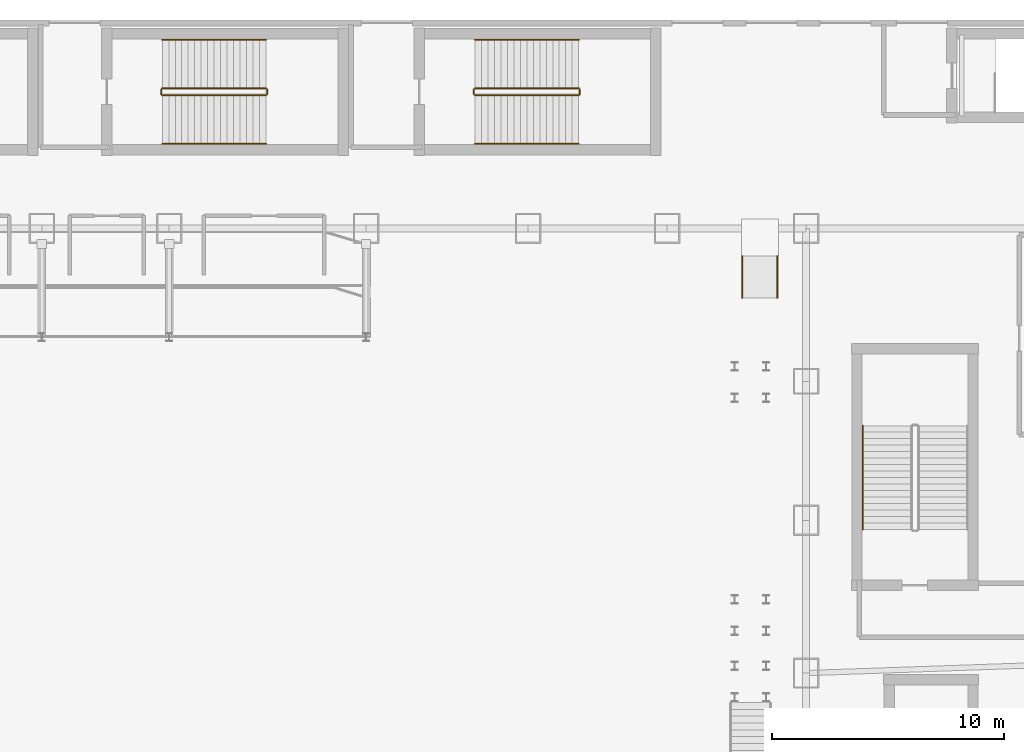
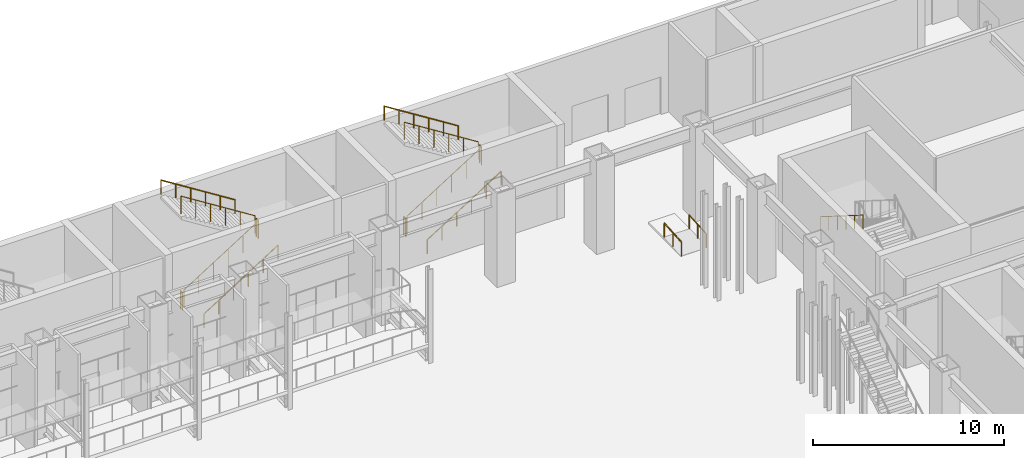
# One storey, part 21 of 25: 15 railings.
"""IFC4 building model written with IfcOpenShell, lengths in metres."""

from ifc_helpers import new_model, si_unit, derived_unit, direction, frame, origin, origin_2d, place, context, subcontext, project, spatial, circle, extrude, material, type_object, element, save


model = new_model("IFC4")

# Units and contexts
model_context = context("Model", 3, precision=1e-05, world=origin(), true_north=direction((0.0, 1.0)))
body_context = subcontext(model_context, "Body", "Model", "MODEL_VIEW")
ifc_project = project(units=[si_unit("LENGTHUNIT", "METRE"), si_unit("AREAUNIT", "SQUARE_METRE"), si_unit("VOLUMEUNIT", "CUBIC_METRE"), si_unit("PLANEANGLEUNIT", "RADIAN"), si_unit("MASSUNIT", "GRAM", prefix="KILO"), derived_unit("THERMALTRANSMITTANCEUNIT", [(si_unit("POWERUNIT", "WATT"), 1), (si_unit("LENGTHUNIT", "METRE"), -2), (si_unit("THERMODYNAMICTEMPERATUREUNIT", "KELVIN"), -1)])], contexts=[model_context])

# Site, building, storey
site_placement = place(None, origin())
site = spatial("IfcSite", under=ifc_project, at=site_placement, CompositionType="ELEMENT")
building_placement = place(site_placement, origin())
building = spatial("IfcBuilding", under=site, at=building_placement, Name="Skarnbrae Concourse Arena and Tower", CompositionType="ELEMENT")
storey_placement = place(building_placement, origin())
storey = spatial("IfcBuildingStorey", under=building, at=storey_placement, Name="L00", CompositionType="ELEMENT", Elevation=0.0)

# Railings
ifc_material = material(Name="Steel CSA G40.21 350W", Category="steel")
railing_type_1 = type_object("IfcRailingType", Name="RAIL-HANDRAIL-900", PredefinedType="HANDRAIL", material=ifc_material)
railing_1_placement = place(storey_placement, frame((63.449951171875, 38.47998046875, 3.176513671875)))
element("IfcRailing", 1, at=railing_1_placement, inside=storey, type_object=railing_type_1, Name="L00 ST-A4 stair handrail 2", PredefinedType="HANDRAIL", context=body_context, shape_type="SweptSolid", body=[
    extrude(circle(Radius=0.02392578125, at=origin_2d()), frame((0.0, 0.0, 0.8759765625), z_axis=(0.0, -0.845997938375, 0.533186166611), x_axis=(1.0, 0.0, 0.0)), (0.0, 0.0, 1.0), 5.29541015625),
    extrude(circle(Radius=0.02099609375, at=origin_2d()), origin(), (0.0, 0.0, 1.0), 0.851806640625),
    extrude(circle(Radius=0.02099609375, at=origin_2d()), frame((0.0, -0.89599609375, 0.564697265625)), (0.0, 0.0, 1.0), 0.851806640625),
    extrude(circle(Radius=0.02099609375, at=origin_2d()), frame((0.0, -1.7919921875, 1.12939453125)), (0.0, 0.0, 1.0), 0.851806640625),
    extrude(circle(Radius=0.02099609375, at=origin_2d()), frame((0.0, -2.68798828125, 1.694091796875)), (0.0, 0.0, 1.0), 0.851806640625),
    extrude(circle(Radius=0.02099609375, at=origin_2d()), frame((0.0, -3.583984375, 2.2587890625)), (0.0, 0.0, 1.0), 0.851806640625),
    extrude(circle(Radius=0.02099609375, at=origin_2d()), frame((0.0, -4.47998046875, 2.823486328125)), (0.0, 0.0, 1.0), 0.851806640625),
])
railing_2_placement = place(storey_placement, frame((33.199951171875, 50.64990234375, 0.176513671875)))
element("IfcRailing", 2, at=railing_2_placement, inside=storey, type_object=railing_type_1, Name="L00 ST-A7 stair handrail 1", PredefinedType="HANDRAIL", context=body_context, shape_type="SweptSolid", body=[
    extrude(circle(Radius=0.02392578125, at=origin_2d()), frame((0.0, 0.0, 0.8759765625), z_axis=(0.845997938375, 0.0, 0.533186166611), x_axis=(0.0, 1.0, 0.0)), (0.0, 0.0, 1.0), 5.29541015625),
    extrude(circle(Radius=0.02099609375, at=origin_2d()), origin(), (0.0, 0.0, 1.0), 0.851806640625),
    extrude(circle(Radius=0.02099609375, at=origin_2d()), frame((0.89599609375, 0.0, 0.564697265625)), (0.0, 0.0, 1.0), 0.851806640625),
    extrude(circle(Radius=0.02099609375, at=origin_2d()), frame((1.7919921875, 0.0, 1.12939453125)), (0.0, 0.0, 1.0), 0.851806640625),
    extrude(circle(Radius=0.02099609375, at=origin_2d()), frame((2.68798828125, 0.0, 1.694091796875)), (0.0, 0.0, 1.0), 0.851806640625),
    extrude(circle(Radius=0.02099609375, at=origin_2d()), frame((3.583984375, 0.0, 2.2587890625)), (0.0, 0.0, 1.0), 0.851806640625),
    extrude(circle(Radius=0.02099609375, at=origin_2d()), frame((4.47998046875, 0.0, 2.823486328125)), (0.0, 0.0, 1.0), 0.851806640625),
])
railing_3_placement = place(storey_placement, frame((37.679931640625, 55.14990234375, 3.176513671875)))
element("IfcRailing", 3, at=railing_3_placement, inside=storey, type_object=railing_type_1, Name="L00 ST-A7 stair handrail 2", PredefinedType="HANDRAIL", context=body_context, shape_type="SweptSolid", body=[
    extrude(circle(Radius=0.02392578125, at=origin_2d()), frame((0.0, 0.0, 0.8759765625), z_axis=(-0.845997938375, 0.0, 0.533186166611), x_axis=(0.0, -1.0, 0.0)), (0.0, 0.0, 1.0), 5.29541015625),
    extrude(circle(Radius=0.02099609375, at=origin_2d()), origin(), (0.0, 0.0, 1.0), 0.851806640625),
    extrude(circle(Radius=0.02099609375, at=origin_2d()), frame((-0.89599609375, 0.0, 0.564697265625)), (0.0, 0.0, 1.0), 0.851806640625),
    extrude(circle(Radius=0.02099609375, at=origin_2d()), frame((-1.7919921875, 0.0, 1.12939453125)), (0.0, 0.0, 1.0), 0.851806640625),
    extrude(circle(Radius=0.02099609375, at=origin_2d()), frame((-2.68798828125, 0.0, 1.694091796875)), (0.0, 0.0, 1.0), 0.851806640625),
    extrude(circle(Radius=0.02099609375, at=origin_2d()), frame((-3.583984375, 0.0, 2.2587890625)), (0.0, 0.0, 1.0), 0.851806640625),
    extrude(circle(Radius=0.02099609375, at=origin_2d()), frame((-4.47998046875, 0.0, 2.823486328125)), (0.0, 0.0, 1.0), 0.851806640625),
])
railing_4_placement = place(storey_placement, frame((46.699951171875, 50.64990234375, 0.176513671875)))
element("IfcRailing", 4, at=railing_4_placement, inside=storey, type_object=railing_type_1, Name="L00 ST-A8 stair handrail 1", PredefinedType="HANDRAIL", context=body_context, shape_type="SweptSolid", body=[
    extrude(circle(Radius=0.02392578125, at=origin_2d()), frame((0.0, 0.0, 0.8759765625), z_axis=(0.845997938375, 0.0, 0.533186166611), x_axis=(0.0, 1.0, 0.0)), (0.0, 0.0, 1.0), 5.29541015625),
    extrude(circle(Radius=0.02099609375, at=origin_2d()), origin(), (0.0, 0.0, 1.0), 0.851806640625),
    extrude(circle(Radius=0.02099609375, at=origin_2d()), frame((0.89599609375, 0.0, 0.564697265625)), (0.0, 0.0, 1.0), 0.851806640625),
    extrude(circle(Radius=0.02099609375, at=origin_2d()), frame((1.7919921875, 0.0, 1.12939453125)), (0.0, 0.0, 1.0), 0.851806640625),
    extrude(circle(Radius=0.02099609375, at=origin_2d()), frame((2.68798828125, 0.0, 1.694091796875)), (0.0, 0.0, 1.0), 0.851806640625),
    extrude(circle(Radius=0.02099609375, at=origin_2d()), frame((3.583984375, 0.0, 2.2587890625)), (0.0, 0.0, 1.0), 0.851806640625),
    extrude(circle(Radius=0.02099609375, at=origin_2d()), frame((4.47998046875, 0.0, 2.823486328125)), (0.0, 0.0, 1.0), 0.851806640625),
])
railing_5_placement = place(storey_placement, frame((51.179931640625, 55.14990234375, 3.176513671875)))
element("IfcRailing", 5, at=railing_5_placement, inside=storey, type_object=railing_type_1, Name="L00 ST-A8 stair handrail 2", PredefinedType="HANDRAIL", context=body_context, shape_type="SweptSolid", body=[
    extrude(circle(Radius=0.02392578125, at=origin_2d()), frame((0.0, 0.0, 0.8759765625), z_axis=(-0.845997938375, 0.0, 0.533186166611), x_axis=(0.0, -1.0, 0.0)), (0.0, 0.0, 1.0), 5.29541015625),
    extrude(circle(Radius=0.02099609375, at=origin_2d()), origin(), (0.0, 0.0, 1.0), 0.851806640625),
    extrude(circle(Radius=0.02099609375, at=origin_2d()), frame((-0.89599609375, 0.0, 0.564697265625)), (0.0, 0.0, 1.0), 0.851806640625),
    extrude(circle(Radius=0.02099609375, at=origin_2d()), frame((-1.7919921875, 0.0, 1.12939453125)), (0.0, 0.0, 1.0), 0.851806640625),
    extrude(circle(Radius=0.02099609375, at=origin_2d()), frame((-2.68798828125, 0.0, 1.694091796875)), (0.0, 0.0, 1.0), 0.851806640625),
    extrude(circle(Radius=0.02099609375, at=origin_2d()), frame((-3.583984375, 0.0, 2.2587890625)), (0.0, 0.0, 1.0), 0.851806640625),
    extrude(circle(Radius=0.02099609375, at=origin_2d()), frame((-4.47998046875, 0.0, 2.823486328125)), (0.0, 0.0, 1.0), 0.851806640625),
])
for number, where, name in (
    (6, (58.25, 44.0, 0.02001953125), "L00 Accessible ramp handrail W"),
    (7, (59.75, 44.0, 0.02001953125), "L00 Accessible ramp handrail E"),
):
    element("IfcRailing", number, at=place(storey_placement, frame(where)), inside=storey, type_object=railing_type_1, Name=name, PredefinedType="HANDRAIL", context=body_context, shape_type="SweptSolid", body=[
        extrude(circle(Radius=0.02392578125, at=origin_2d()), frame((0.0, 0.0, 0.8759765625), z_axis=(0.0, 0.997789945721, 0.06644715358), x_axis=(-1.0, 0.0, 0.0)), (0.0, 0.0, 1.0), 1.803955078125),
        extrude(circle(Radius=0.02099609375, at=origin_2d()), origin(), (0.0, 0.0, 1.0), 0.851806640625),
        extrude(circle(Radius=0.02099609375, at=origin_2d()), frame((0.0, 0.89990234375, 0.06005859375)), (0.0, 0.0, 1.0), 0.851806640625),
        extrude(circle(Radius=0.02099609375, at=origin_2d()), frame((0.0, 1.800048828125, 0.119873046875)), (0.0, 0.0, 1.0), 0.851806640625),
    ])
railing_type_2 = type_object("IfcRailingType", Name="RAIL-STAIR-GUARD-1150", PredefinedType="GUARDRAIL", material=ifc_material)
railing_6_placement = place(storey_placement, frame((33.199951171875, 52.75, 0.176513671875)))
element("IfcRailing", 8, at=railing_6_placement, inside=storey, type_object=railing_type_2, Name="L00 ST-A7 stair guard 1", PredefinedType="GUARDRAIL", context=body_context, shape_type="SweptSolid", body=[
    extrude(circle(Radius=0.02392578125, at=origin_2d()), frame((0.0, 0.0, 1.1259765625), z_axis=(0.845997938375, 0.0, 0.533186166611), x_axis=(0.0, 1.0, 0.0)), (0.0, 0.0, 1.0), 5.29541015625),
    extrude(circle(Radius=0.02099609375, at=origin_2d()), origin(), (0.0, 0.0, 1.0), 1.101806640625),
    extrude(circle(Radius=0.02099609375, at=origin_2d()), frame((0.89599609375, 0.0, 0.564697265625)), (0.0, 0.0, 1.0), 1.101806640625),
    extrude(circle(Radius=0.02099609375, at=origin_2d()), frame((1.7919921875, 0.0, 1.12939453125)), (0.0, 0.0, 1.0), 1.101806640625),
    extrude(circle(Radius=0.02099609375, at=origin_2d()), frame((2.68798828125, 0.0, 1.694091796875)), (0.0, 0.0, 1.0), 1.101806640625),
    extrude(circle(Radius=0.02099609375, at=origin_2d()), frame((3.583984375, 0.0, 2.2587890625)), (0.0, 0.0, 1.0), 1.101806640625),
    extrude(circle(Radius=0.02099609375, at=origin_2d()), frame((4.47998046875, 0.0, 2.823486328125)), (0.0, 0.0, 1.0), 1.101806640625),
])
railing_7_placement = place(storey_placement, frame((37.72998046875, 52.800048828125, 3.0)))
element("IfcRailing", 9, at=railing_7_placement, inside=storey, type_object=railing_type_2, Name="L00 ST-A7 stair guard 2", PredefinedType="GUARDRAIL", context=body_context, shape_type="SweptSolid", body=[
    extrude(circle(Radius=0.02392578125, at=origin_2d()), frame((0.0, 0.0, 1.1259765625), z_axis=(0.0, 1.0, 0.0), x_axis=(-1.0, 0.0, 0.0)), (0.0, 0.0, 1.0), 0.199951171875),
    extrude(circle(Radius=0.02099609375, at=origin_2d()), origin(), (0.0, 0.0, 1.0), 1.101806640625),
    extrude(circle(Radius=0.02099609375, at=origin_2d()), frame((0.0, 0.199951171875, 0.0)), (0.0, 0.0, 1.0), 1.101806640625),
])
railing_8_placement = place(storey_placement, frame((37.679931640625, 53.050048828125, 3.176513671875)))
element("IfcRailing", 10, at=railing_8_placement, inside=storey, type_object=railing_type_2, Name="L00 ST-A7 stair guard 3", PredefinedType="GUARDRAIL", context=body_context, shape_type="SweptSolid", body=[
    extrude(circle(Radius=0.02392578125, at=origin_2d()), frame((0.0, 0.0, 1.1259765625), z_axis=(-0.845997938375, 0.0, 0.533186166611), x_axis=(0.0, -1.0, 0.0)), (0.0, 0.0, 1.0), 5.29541015625),
    extrude(circle(Radius=0.02099609375, at=origin_2d()), origin(), (0.0, 0.0, 1.0), 1.101806640625),
    extrude(circle(Radius=0.02099609375, at=origin_2d()), frame((-0.89599609375, 0.0, 0.564697265625)), (0.0, 0.0, 1.0), 1.101806640625),
    extrude(circle(Radius=0.02099609375, at=origin_2d()), frame((-1.7919921875, 0.0, 1.12939453125)), (0.0, 0.0, 1.0), 1.101806640625),
    extrude(circle(Radius=0.02099609375, at=origin_2d()), frame((-2.68798828125, 0.0, 1.694091796875)), (0.0, 0.0, 1.0), 1.101806640625),
    extrude(circle(Radius=0.02099609375, at=origin_2d()), frame((-3.583984375, 0.0, 2.2587890625)), (0.0, 0.0, 1.0), 1.101806640625),
    extrude(circle(Radius=0.02099609375, at=origin_2d()), frame((-4.47998046875, 0.0, 2.823486328125)), (0.0, 0.0, 1.0), 1.101806640625),
])
railing_9_placement = place(storey_placement, frame((33.14990234375, 52.800048828125, 0.0)))
element("IfcRailing", 11, at=railing_9_placement, inside=storey, type_object=railing_type_2, Name="L00 ST-A7 stair guard 4", PredefinedType="GUARDRAIL", context=body_context, shape_type="SweptSolid", body=[
    extrude(circle(Radius=0.02392578125, at=origin_2d()), frame((0.0, 0.0, 1.1259765625), z_axis=(0.0, 1.0, 0.0), x_axis=(-1.0, 0.0, 0.0)), (0.0, 0.0, 1.0), 0.199951171875),
    extrude(circle(Radius=0.02099609375, at=origin_2d()), origin(), (0.0, 0.0, 1.0), 1.101806640625),
    extrude(circle(Radius=0.02099609375, at=origin_2d()), frame((0.0, 0.199951171875, 0.0)), (0.0, 0.0, 1.0), 1.101806640625),
])
railing_10_placement = place(storey_placement, frame((46.699951171875, 52.75, 0.176513671875)))
element("IfcRailing", 12, at=railing_10_placement, inside=storey, type_object=railing_type_2, Name="L00 ST-A8 stair guard 1", PredefinedType="GUARDRAIL", context=body_context, shape_type="SweptSolid", body=[
    extrude(circle(Radius=0.02392578125, at=origin_2d()), frame((0.0, 0.0, 1.1259765625), z_axis=(0.845997938375, 0.0, 0.533186166611), x_axis=(0.0, 1.0, 0.0)), (0.0, 0.0, 1.0), 5.29541015625),
    extrude(circle(Radius=0.02099609375, at=origin_2d()), origin(), (0.0, 0.0, 1.0), 1.101806640625),
    extrude(circle(Radius=0.02099609375, at=origin_2d()), frame((0.89599609375, 0.0, 0.564697265625)), (0.0, 0.0, 1.0), 1.101806640625),
    extrude(circle(Radius=0.02099609375, at=origin_2d()), frame((1.7919921875, 0.0, 1.12939453125)), (0.0, 0.0, 1.0), 1.101806640625),
    extrude(circle(Radius=0.02099609375, at=origin_2d()), frame((2.68798828125, 0.0, 1.694091796875)), (0.0, 0.0, 1.0), 1.101806640625),
    extrude(circle(Radius=0.02099609375, at=origin_2d()), frame((3.583984375, 0.0, 2.2587890625)), (0.0, 0.0, 1.0), 1.101806640625),
    extrude(circle(Radius=0.02099609375, at=origin_2d()), frame((4.47998046875, 0.0, 2.823486328125)), (0.0, 0.0, 1.0), 1.101806640625),
])
railing_11_placement = place(storey_placement, frame((51.22998046875, 52.800048828125, 3.0)))
element("IfcRailing", 13, at=railing_11_placement, inside=storey, type_object=railing_type_2, Name="L00 ST-A8 stair guard 2", PredefinedType="GUARDRAIL", context=body_context, shape_type="SweptSolid", body=[
    extrude(circle(Radius=0.02392578125, at=origin_2d()), frame((0.0, 0.0, 1.1259765625), z_axis=(0.0, 1.0, 0.0), x_axis=(-1.0, 0.0, 0.0)), (0.0, 0.0, 1.0), 0.199951171875),
    extrude(circle(Radius=0.02099609375, at=origin_2d()), origin(), (0.0, 0.0, 1.0), 1.101806640625),
    extrude(circle(Radius=0.02099609375, at=origin_2d()), frame((0.0, 0.199951171875, 0.0)), (0.0, 0.0, 1.0), 1.101806640625),
])
railing_12_placement = place(storey_placement, frame((51.179931640625, 53.050048828125, 3.176513671875)))
element("IfcRailing", 14, at=railing_12_placement, inside=storey, type_object=railing_type_2, Name="L00 ST-A8 stair guard 3", PredefinedType="GUARDRAIL", context=body_context, shape_type="SweptSolid", body=[
    extrude(circle(Radius=0.02392578125, at=origin_2d()), frame((0.0, 0.0, 1.1259765625), z_axis=(-0.845997938375, 0.0, 0.533186166611), x_axis=(0.0, -1.0, 0.0)), (0.0, 0.0, 1.0), 5.29541015625),
    extrude(circle(Radius=0.02099609375, at=origin_2d()), origin(), (0.0, 0.0, 1.0), 1.101806640625),
    extrude(circle(Radius=0.02099609375, at=origin_2d()), frame((-0.89599609375, 0.0, 0.564697265625)), (0.0, 0.0, 1.0), 1.101806640625),
    extrude(circle(Radius=0.02099609375, at=origin_2d()), frame((-1.7919921875, 0.0, 1.12939453125)), (0.0, 0.0, 1.0), 1.101806640625),
    extrude(circle(Radius=0.02099609375, at=origin_2d()), frame((-2.68798828125, 0.0, 1.694091796875)), (0.0, 0.0, 1.0), 1.101806640625),
    extrude(circle(Radius=0.02099609375, at=origin_2d()), frame((-3.583984375, 0.0, 2.2587890625)), (0.0, 0.0, 1.0), 1.101806640625),
    extrude(circle(Radius=0.02099609375, at=origin_2d()), frame((-4.47998046875, 0.0, 2.823486328125)), (0.0, 0.0, 1.0), 1.101806640625),
])
railing_13_placement = place(storey_placement, frame((46.64990234375, 52.800048828125, 0.0)))
element("IfcRailing", 15, at=railing_13_placement, inside=storey, type_object=railing_type_2, Name="L00 ST-A8 stair guard 4", PredefinedType="GUARDRAIL", context=body_context, shape_type="SweptSolid", body=[
    extrude(circle(Radius=0.02392578125, at=origin_2d()), frame((0.0, 0.0, 1.1259765625), z_axis=(0.0, 1.0, 0.0), x_axis=(-1.0, 0.0, 0.0)), (0.0, 0.0, 1.0), 0.199951171875),
    extrude(circle(Radius=0.02099609375, at=origin_2d()), origin(), (0.0, 0.0, 1.0), 1.101806640625),
    extrude(circle(Radius=0.02099609375, at=origin_2d()), frame((0.0, 0.199951171875, 0.0)), (0.0, 0.0, 1.0), 1.101806640625),
])

save(model, "model.ifc")
